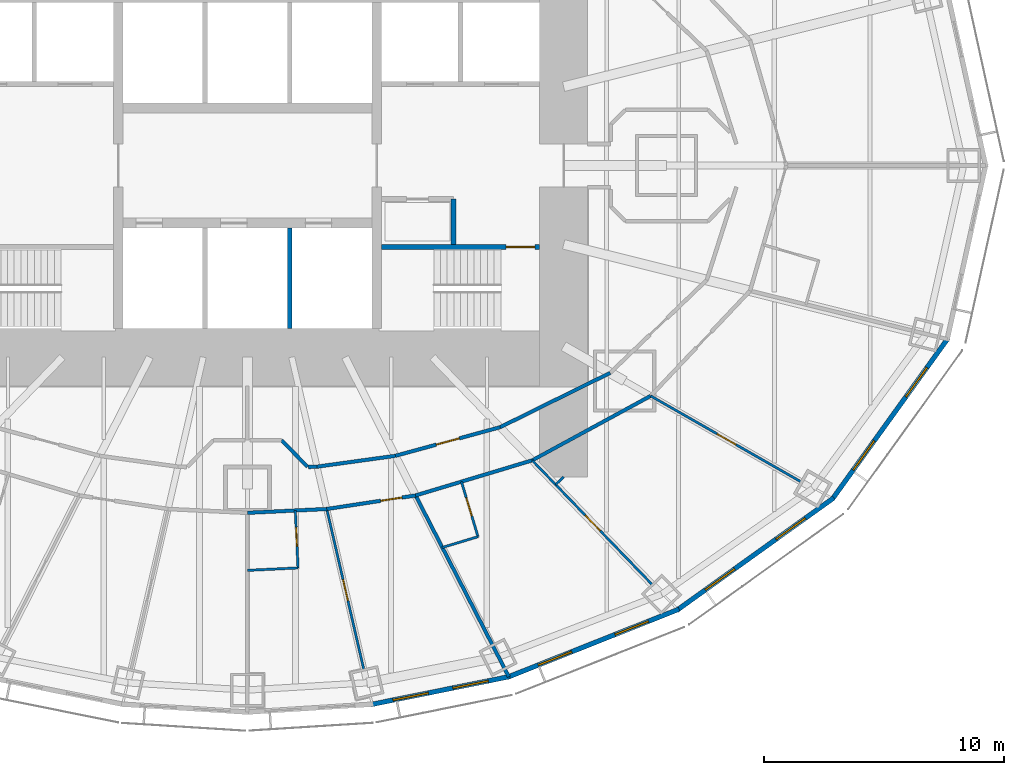
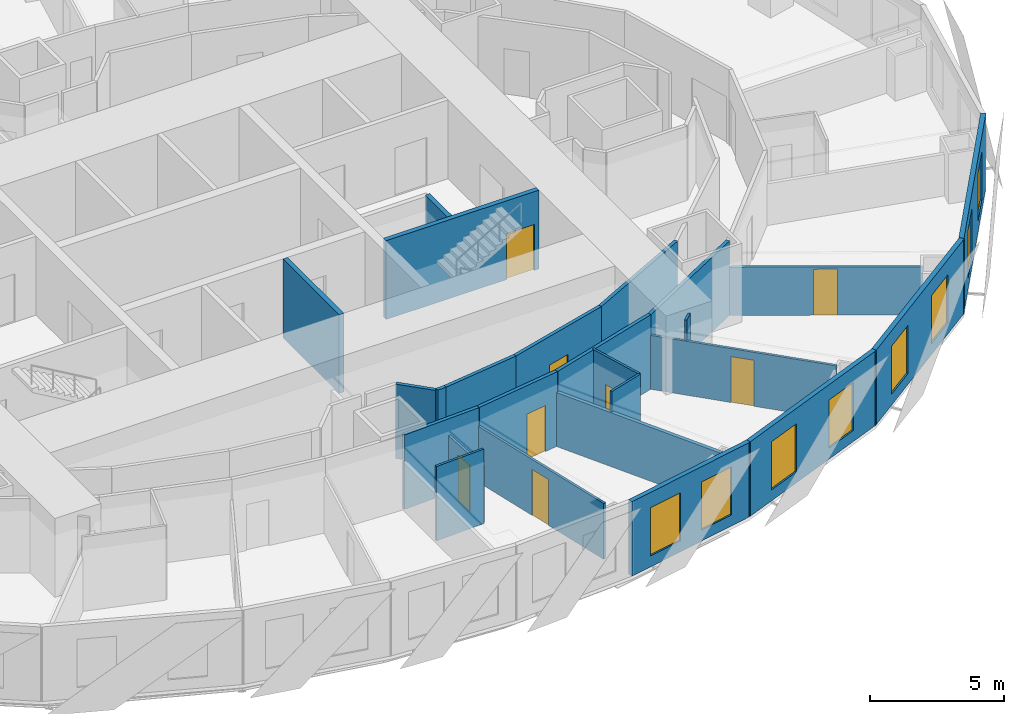
# One storey, part 7 of 15: 25 walls, 8 doors, 8 windows, 16 openings.
"""IFC4 building model written with IfcOpenShell, lengths in metres."""

from ifc_helpers import new_model, si_unit, direction, frame, frame_2d, origin, place, context, subcontext, project, spatial, rectangle, extrude, material, layer, layer_set, type_object, element, fill, save


model = new_model("IFC4")

# Units and contexts
model_context = context("Model", 3, precision=1e-05, world=origin(), true_north=direction((0.0, 1.0)))
body_context = subcontext(model_context, "Body", "Model", "MODEL_VIEW")
ifc_project = project(units=[si_unit("LENGTHUNIT", "METRE"), si_unit("AREAUNIT", "SQUARE_METRE"), si_unit("VOLUMEUNIT", "CUBIC_METRE"), si_unit("PLANEANGLEUNIT", "RADIAN"), si_unit("MASSUNIT", "GRAM", prefix="KILO")], contexts=[model_context])

# Site, building, storey
site_placement = place(None, origin())
site = spatial("IfcSite", under=ifc_project, at=site_placement, CompositionType="ELEMENT")
building_placement = place(site_placement, origin())
building = spatial("IfcBuilding", under=site, at=building_placement, Name="Lantaw Convention Tower", CompositionType="ELEMENT")
storey_placement = place(building_placement, frame((0.0, 0.0, 101.800048828125)))
storey = spatial("IfcBuildingStorey", under=building, at=storey_placement, Name="L24", CompositionType="ELEMENT", Elevation=101.800048828125)

# Wall, opening, door
ifc_material_1 = material(Name="Moisture resistant gypsum board on steel studs", Category="steel")
ifc_layer_1 = layer(ifc_material_1, 0.10009765625)
ifc_layer_set_1 = layer_set([ifc_layer_1], Name="Bathroom wall 100")
wall_type_1 = type_object("IfcWallType", Name="Bathroom wall 100", PredefinedType="PARTITIONING", material=ifc_layer_set_1)
wall_1_placement = place(storey_placement, frame((1.997802734375, -14.40478515625, 0.0), z_axis=(0.0, 0.0, 1.0), x_axis=(0.047608648396, -0.998866065395, 0.0)))
wall_1 = element("IfcWall", 1, at=wall_1_placement, inside=storey, type_object=wall_type_1, Name="Bathroom wall 100", PredefinedType="PARTITIONING", context=body_context, shape_type="SweptSolid", body=[
    extrude(rectangle(XDim=2.39990234375, YDim=0.10009765625, at=frame_2d((1.199951171875, 0.0))), origin(), (0.0, 0.0, 1.0), 2.627685546875),
])
opening_1_placement = place(wall_1_placement, frame((0.699951171875, 0.0, 0.0)))
opening_1 = element("IfcOpeningElement", 2, at=opening_1_placement, cuts=wall_1, Name="Opening L24.47", PredefinedType="OPENING", context=body_context, shape_type="SweptSolid", body=[
    extrude(rectangle(XDim=0.800048828125, YDim=2.10009765625, at=frame_2d((0.39990234375, 1.050048828125))), frame((0.0, 0.06005859375, 0.0), z_axis=(0.0, -1.0, 0.0), x_axis=(1.0, 0.0, 0.0)), (0.0, 0.0, 1.0), 0.1201171875),
])
ifc_material_2 = material(Name="Timber", Category="wood")
door_type_1 = type_object("IfcDoorType", Name="Bathroom door 800", OperationType="SINGLE_SWING_LEFT", PredefinedType="DOOR", material=ifc_material_2)
door_1_placement = place(opening_1_placement, origin())
door_1 = element("IfcDoor", 3, at=door_1_placement, inside=storey, type_object=door_type_1, Name="Bathroom door", OperationType="SINGLE_SWING_LEFT", OverallHeight=2.10009765625, OverallWidth=0.800048828125, PredefinedType="DOOR", context=body_context, shape_type="SweptSolid", body=[
    extrude(rectangle(XDim=0.800048828125, YDim=2.10009765625, at=frame_2d((0.39990234375, 1.050048828125))), frame((0.0, 0.02490234375, 0.0), z_axis=(0.0, -1.0, 0.0), x_axis=(1.0, 0.0, 0.0)), (0.0, 0.0, 1.0), 0.050048828125),
])
fill(opening_1, door_1)

# Wall
wall_2_placement = place(storey_placement, frame((2.112060546875, -16.802001953125, 0.0), z_axis=(0.0, 0.0, 1.0), x_axis=(-0.998862383453, -0.047685835668, 0.0)))
element("IfcWall", 4, at=wall_2_placement, inside=storey, type_object=wall_type_1, Name="Bathroom wall 100", PredefinedType="PARTITIONING", context=body_context, shape_type="SweptSolid", body=[
    extrude(rectangle(XDim=2.114501953125, YDim=0.10009765625, at=frame_2d((1.05712890625, 0.0))), origin(), (0.0, 0.0, 1.0), 3.39990234375),
])

# Wall, opening, door
wall_3_placement = place(storey_placement, frame((8.9345703125, -13.199951171875, 0.0), z_axis=(0.0, 0.0, 1.0), x_axis=(0.288197066254, -0.957571120598, 0.0)))
wall_3 = element("IfcWall", 5, at=wall_3_placement, inside=storey, type_object=wall_type_1, Name="Bathroom wall 100", PredefinedType="PARTITIONING", context=body_context, shape_type="SweptSolid", body=[
    extrude(rectangle(XDim=2.39990234375, YDim=0.10009765625, at=frame_2d((1.199951171875, 0.0))), origin(), (0.0, 0.0, 1.0), 3.39990234375),
])
opening_2_placement = place(wall_3_placement, frame((0.699951171875, 0.0, 0.0)))
opening_2 = element("IfcOpeningElement", 6, at=opening_2_placement, cuts=wall_3, Name="Opening L24.50", PredefinedType="OPENING", context=body_context, shape_type="SweptSolid", body=[
    extrude(rectangle(XDim=0.800048828125, YDim=2.10009765625, at=frame_2d((0.39990234375, 1.050048828125))), frame((0.0, 0.06005859375, 0.0), z_axis=(0.0, -1.0, 0.0), x_axis=(1.0, 0.0, 0.0)), (0.0, 0.0, 1.0), 0.1201171875),
])
door_2_placement = place(opening_2_placement, origin())
door_2 = element("IfcDoor", 7, at=door_2_placement, inside=storey, type_object=door_type_1, Name="Bathroom door", OperationType="SINGLE_SWING_LEFT", OverallHeight=2.10009765625, OverallWidth=0.800048828125, PredefinedType="DOOR", context=body_context, shape_type="SweptSolid", body=[
    extrude(rectangle(XDim=0.800048828125, YDim=2.10009765625, at=frame_2d((0.39990234375, 1.050048828125))), frame((0.0, 0.02490234375, 0.0), z_axis=(0.0, -1.0, 0.0), x_axis=(1.0, 0.0, 0.0)), (0.0, 0.0, 1.0), 0.050048828125),
])
fill(opening_2, door_2)

# Wall
wall_4_placement = place(storey_placement, frame((9.626220703125, -15.498046875, 0.0), z_axis=(0.0, 0.0, 1.0), x_axis=(-0.957551231109, -0.288263143328, 0.0)))
element("IfcWall", 8, at=wall_4_placement, inside=storey, type_object=wall_type_1, Name="Bathroom wall 100", PredefinedType="PARTITIONING", context=body_context, shape_type="SweptSolid", body=[
    extrude(rectangle(XDim=1.56591796875, YDim=0.10009765625, at=frame_2d((0.782958984375, 0.0))), origin(), (0.0, 0.0, 1.0), 3.39990234375),
])

# Wall, opening, door
ifc_material_3 = material(Name="Concrete C60/75", Category="concrete")
ifc_layer_2 = layer(ifc_material_3, 0.199951171875)
ifc_layer_set_2 = layer_set([ifc_layer_2], Name="Core wall 200")
wall_type_2 = type_object("IfcWallType", Name="Core wall 200", PredefinedType="SHEAR", material=ifc_layer_set_2)
wall_5_placement = place(storey_placement, frame((5.60009765625, -3.39990234375, 0.0), z_axis=(0.0, 0.0, 1.0), x_axis=(1.0, 0.0, 0.0)))
wall_5 = element("IfcWall", 9, at=wall_5_placement, inside=storey, type_object=wall_type_2, Name="Core wall ES", PredefinedType="SHEAR", context=body_context, shape_type="SweptSolid", body=[
    extrude(rectangle(XDim=6.599853515625, YDim=0.199951171875, at=frame_2d((3.2998046875, 0.0))), origin(), (0.0, 0.0, 1.0), 3.599853515625),
])
opening_3_placement = place(wall_5_placement, frame((5.199951171875, 0.0, 0.0)))
opening_3 = element("IfcOpeningElement", 10, at=opening_3_placement, cuts=wall_5, Name="Opening L24.04", PredefinedType="OPENING", context=body_context, shape_type="SweptSolid", body=[
    extrude(rectangle(XDim=1.199951171875, YDim=2.10009765625, at=frame_2d((0.60009765625, 1.050048828125))), frame((0.0, 0.10986328125, 0.0), z_axis=(0.0, -1.0, 0.0), x_axis=(1.0, 0.0, 0.0)), (0.0, 0.0, 1.0), 0.219970703125),
])
ifc_material_4 = material(Name="Steel, fire rated", Category="steel")
door_type_2 = type_object("IfcDoorType", Name="Stair door FD90", OperationType="SINGLE_SWING_RIGHT", PredefinedType="DOOR", material=ifc_material_4)
door_3_placement = place(opening_3_placement, origin())
door_3 = element("IfcDoor", 11, at=door_3_placement, inside=storey, type_object=door_type_2, Name="Exit stair door", OperationType="SINGLE_SWING_RIGHT", OverallHeight=2.10009765625, OverallWidth=1.199951171875, PredefinedType="DOOR", context=body_context, shape_type="SweptSolid", body=[
    extrude(rectangle(XDim=1.199951171875, YDim=2.10009765625, at=frame_2d((0.60009765625, 1.050048828125))), frame((0.0, 0.02490234375, 0.0), z_axis=(0.0, -1.0, 0.0), x_axis=(1.0, 0.0, 0.0)), (0.0, 0.0, 1.0), 0.050048828125),
])
fill(opening_3, door_3)

# Wall
ifc_material_5 = material(Name="Gypsum board on steel studs, fire rated", Category="steel")
ifc_layer_3 = layer(ifc_material_5, 0.14990234375)
ifc_layer_set_3 = layer_set([ifc_layer_3], Name="Corridor wall 150 EI 60")
wall_type_3 = type_object("IfcWallType", Name="Corridor wall 150 EI 60", PredefinedType="PARTITIONING", material=ifc_layer_set_3)
wall_6_placement = place(storey_placement, frame((0.0, -14.5, 0.0), z_axis=(0.0, 0.0, 1.0), x_axis=(0.998863968075, 0.047652631422, 0.0)))
element("IfcWall", 12, at=wall_6_placement, inside=storey, type_object=wall_type_3, Name="Corridor wall 150", PredefinedType="PARTITIONING", context=body_context, shape_type="SweptSolid", body=[
    extrude(rectangle(XDim=3.314697265625, YDim=0.14990234375, at=frame_2d((1.6572265625, 0.0))), origin(), (0.0, 0.0, 1.0), 3.39990234375),
])

# Wall, opening, door
wall_7_placement = place(storey_placement, frame((3.31103515625, -14.342041015625, 0.0), z_axis=(0.0, 0.0, 1.0), x_axis=(0.988564270062, 0.150800145746, 0.0)))
wall_7 = element("IfcWall", 13, at=wall_7_placement, inside=storey, type_object=wall_type_3, Name="Corridor wall 150", PredefinedType="PARTITIONING", context=body_context, shape_type="SweptSolid", body=[
    extrude(rectangle(XDim=3.751220703125, YDim=0.14990234375, at=frame_2d((1.87548828125, 0.0))), origin(), (0.0, 0.0, 1.0), 3.39990234375),
])
opening_4_placement = place(wall_7_placement, frame((2.27587890625, 0.0, 0.0)))
opening_4 = element("IfcOpeningElement", 14, at=opening_4_placement, cuts=wall_7, Name="Opening L24.49", PredefinedType="OPENING", context=body_context, shape_type="SweptSolid", body=[
    extrude(rectangle(XDim=0.89990234375, YDim=2.10009765625, at=frame_2d((0.449951171875, 1.050048828125))), frame((0.0, 0.0849609375, 0.0), z_axis=(0.0, -1.0, 0.0), x_axis=(1.0, 0.0, 0.0)), (0.0, 0.0, 1.0), 0.169921875),
])
door_type_3 = type_object("IfcDoorType", Name="Guest room entrance door FD30S", OperationType="SINGLE_SWING_LEFT", PredefinedType="DOOR", material=ifc_material_4)
door_4_placement = place(opening_4_placement, origin())
door_4 = element("IfcDoor", 15, at=door_4_placement, inside=storey, type_object=door_type_3, Name="Suite entrance door", OperationType="SINGLE_SWING_LEFT", OverallHeight=2.10009765625, OverallWidth=0.89990234375, PredefinedType="DOOR", context=body_context, shape_type="SweptSolid", body=[
    extrude(rectangle(XDim=0.89990234375, YDim=2.10009765625, at=frame_2d((0.449951171875, 1.050048828125))), frame((0.0, 0.02490234375, 0.0), z_axis=(0.0, -1.0, 0.0), x_axis=(1.0, 0.0, 0.0)), (0.0, 0.0, 1.0), 0.050048828125),
])
fill(opening_4, door_4)

# Walls
wall_8_placement = place(storey_placement, frame((7.019287109375, -13.7763671875, 0.0), z_axis=(0.0, 0.0, 1.0), x_axis=(0.957564241242, 0.288219922793, 0.0)))
element("IfcWall", 16, at=wall_8_placement, inside=storey, type_object=wall_type_3, Name="Corridor wall 150", PredefinedType="PARTITIONING", context=body_context, shape_type="SweptSolid", body=[
    extrude(rectangle(XDim=5.0849609375, YDim=0.14990234375, at=frame_2d((2.54248046875, 0.0))), origin(), (0.0, 0.0, 1.0), 3.39990234375),
])
wall_9_placement = place(storey_placement, frame((11.888427734375, -12.310791015625, 0.0), z_axis=(0.0, 0.0, 1.0), x_axis=(0.878450059298, 0.477834169267, 0.0)))
element("IfcWall", 17, at=wall_9_placement, inside=storey, type_object=wall_type_3, Name="Corridor wall 150", PredefinedType="PARTITIONING", context=body_context, shape_type="SweptSolid", body=[
    extrude(rectangle(XDim=5.630859375, YDim=0.14990234375, at=frame_2d((2.8154296875, 0.0))), origin(), (0.0, 0.0, 1.0), 3.39990234375),
])
wall_10_placement = place(storey_placement, frame((2.903076171875, -12.574462890625, 0.0), z_axis=(0.0, 0.0, 1.0), x_axis=(0.990563451353, 0.137054911782, 0.0)))
element("IfcWall", 18, at=wall_10_placement, inside=storey, type_object=wall_type_3, Name="Corridor wall 150", PredefinedType="PARTITIONING", context=body_context, shape_type="SweptSolid", body=[
    extrude(rectangle(XDim=3.304443359375, YDim=0.14990234375, at=frame_2d((1.65234375, 0.0))), origin(), (0.0, 0.0, 1.0), 3.39990234375),
])

# Wall, opening, door
wall_11_placement = place(storey_placement, frame((6.17626953125, -12.12158203125, 0.0), z_axis=(0.0, 0.0, 1.0), x_axis=(0.964644466646, 0.263554648923, 0.0)))
wall_11 = element("IfcWall", 19, at=wall_11_placement, inside=storey, type_object=wall_type_3, Name="Corridor wall 150", PredefinedType="PARTITIONING", context=body_context, shape_type="SweptSolid", body=[
    extrude(rectangle(XDim=4.535400390625, YDim=0.14990234375, at=frame_2d((2.267578125, 0.0))), origin(), (0.0, 0.0, 1.0), 3.39990234375),
])
opening_5_placement = place(wall_11_placement, frame((1.767578125, 0.0, 0.0)))
opening_5 = element("IfcOpeningElement", 20, at=opening_5_placement, cuts=wall_11, Name="Opening L24.23", PredefinedType="OPENING", context=body_context, shape_type="SweptSolid", body=[
    extrude(rectangle(XDim=1.0, YDim=2.10009765625, at=frame_2d((0.5, 1.050048828125))), frame((0.0, 0.0849609375, 0.0), z_axis=(0.0, -1.0, 0.0), x_axis=(1.0, 0.0, 0.0)), (0.0, 0.0, 1.0), 0.169921875),
])
door_type_4 = type_object("IfcDoorType", Name="Service door 1000 FD30", OperationType="SINGLE_SWING_LEFT", PredefinedType="DOOR", material=ifc_material_4)
door_5_placement = place(opening_5_placement, origin())
door_5 = element("IfcDoor", 21, at=door_5_placement, inside=storey, type_object=door_type_4, Name="Room service pantry door", OperationType="SINGLE_SWING_LEFT", OverallHeight=2.10009765625, OverallWidth=1.0, PredefinedType="DOOR", context=body_context, shape_type="SweptSolid", body=[
    extrude(rectangle(XDim=1.0, YDim=2.10009765625, at=frame_2d((0.5, 1.050048828125))), frame((0.0, 0.02490234375, 0.0), z_axis=(0.0, -1.0, 0.0), x_axis=(1.0, 0.0, 0.0)), (0.0, 0.0, 1.0), 0.050048828125),
])
fill(opening_5, door_5)

# Walls
wall_12_placement = place(storey_placement, frame((10.55126953125, -10.92626953125, 0.0), z_axis=(0.0, 0.0, 1.0), x_axis=(0.89656943448, 0.442903205177, 0.0)))
element("IfcWall", 22, at=wall_12_placement, inside=storey, type_object=wall_type_3, Name="Corridor wall 150", PredefinedType="PARTITIONING", context=body_context, shape_type="SweptSolid", body=[
    extrude(rectangle(XDim=5.12646484375, YDim=0.14990234375, at=frame_2d((2.563232421875, 0.0))), origin(), (0.0, 0.0, 1.0), 3.39990234375),
])
wall_13_placement = place(storey_placement, frame((2.537109375, -12.59033203125, 0.0), z_axis=(0.0, 0.0, 1.0), x_axis=(0.999061181733, 0.04332153223, 0.0)))
element("IfcWall", 23, at=wall_13_placement, inside=storey, type_object=wall_type_3, Name="Corridor wall 150", PredefinedType="PARTITIONING", context=body_context, shape_type="SweptSolid", body=[
    extrude(rectangle(XDim=0.3662109375, YDim=0.14990234375, at=frame_2d((0.18310546875, 0.0))), origin(), (0.0, 0.0, 1.0), 3.39990234375),
])
wall_14_placement = place(storey_placement, frame((1.424560546875, -11.47509765625, 0.0), z_axis=(0.0, 0.0, 1.0), x_axis=(0.701622806479, -0.712548550927, 0.0)))
element("IfcWall", 24, at=wall_14_placement, inside=storey, type_object=wall_type_3, Name="Corridor wall 150", PredefinedType="PARTITIONING", context=body_context, shape_type="SweptSolid", body=[
    extrude(rectangle(XDim=1.541748046875, YDim=0.14990234375, at=frame_2d((0.77099609375, 0.0))), origin(), (0.0, 0.0, 1.0), 3.39990234375),
])

# Wall, openings, windows
ifc_material_6 = material(Name="Insulated aluminium panel on steel frame", Category="steel")
ifc_layer_4 = layer(ifc_material_6, 0.199951171875)
ifc_layer_set_4 = layer_set([ifc_layer_4], Name="External wall 200")
wall_type_4 = type_object("IfcWallType", Name="External wall 200", PredefinedType="SOLIDWALL", material=ifc_layer_set_4)
wall_15_placement = place(storey_placement, frame((5.169677734375, -22.504150390625, 0.0), z_axis=(0.0, 0.0, 1.0), x_axis=(0.980251657452, 0.197754110105, 0.0)))
wall_15 = element("IfcWall", 25, at=wall_15_placement, inside=storey, type_object=wall_type_4, Name="Facade panel wall", PredefinedType="SOLIDWALL", context=body_context, shape_type="SweptSolid", body=[
    extrude(rectangle(XDim=5.90380859375, YDim=0.199951171875, at=frame_2d((2.951904296875, 0.0))), origin(), (0.0, 0.0, 1.0), 3.39990234375),
])
opening_6_placement = place(wall_15_placement, frame((0.92578125, 0.0, 0.5)))
opening_6 = element("IfcOpeningElement", 26, at=opening_6_placement, cuts=wall_15, Name="Opening W2", PredefinedType="OPENING", context=body_context, shape_type="SweptSolid", body=[
    extrude(rectangle(XDim=1.5, YDim=2.199951171875, at=frame_2d((0.75, 1.10009765625))), frame((0.0, 0.10986328125, 0.0), z_axis=(0.0, -1.0, 0.0), x_axis=(1.0, 0.0, 0.0)), (0.0, 0.0, 1.0), 0.219970703125),
])
opening_7_placement = place(wall_15_placement, frame((3.477783203125, 0.0, 0.5)))
opening_7 = element("IfcOpeningElement", 27, at=opening_7_placement, cuts=wall_15, Name="Opening W2", PredefinedType="OPENING", context=body_context, shape_type="SweptSolid", body=[
    extrude(rectangle(XDim=1.5, YDim=2.199951171875, at=frame_2d((0.75, 1.10009765625))), frame((0.0, 0.10986328125, 0.0), z_axis=(0.0, -1.0, 0.0), x_axis=(1.0, 0.0, 0.0)), (0.0, 0.0, 1.0), 0.219970703125),
])
ifc_material_7 = material(Name="Aluminium frame, clear insulating glass", Category="aluminium")
window_type = type_object("IfcWindowType", Name="Suite window 1500x2200", PartitioningType="SINGLE_PANEL", PredefinedType="WINDOW", material=ifc_material_7)
window_1_placement = place(opening_6_placement, origin())
window_1 = element("IfcWindow", 28, at=window_1_placement, inside=storey, type_object=window_type, Name="Guest room window", OverallHeight=2.199951171875, OverallWidth=1.5, PartitioningType="SINGLE_PANEL", PredefinedType="WINDOW", context=body_context, shape_type="SweptSolid", body=[
    extrude(rectangle(XDim=1.5, YDim=2.199951171875, at=frame_2d((0.75, 1.10009765625))), frame((0.0, 0.030029296875, 0.0), z_axis=(0.0, -1.0, 0.0), x_axis=(1.0, 0.0, 0.0)), (0.0, 0.0, 1.0), 0.06005859375),
])
fill(opening_6, window_1)
window_2_placement = place(opening_7_placement, origin())
window_2 = element("IfcWindow", 29, at=window_2_placement, inside=storey, type_object=window_type, Name="Guest room window", OverallHeight=2.199951171875, OverallWidth=1.5, PartitioningType="SINGLE_PANEL", PredefinedType="WINDOW", context=body_context, shape_type="SweptSolid", body=[
    extrude(rectangle(XDim=1.5, YDim=2.199951171875, at=frame_2d((0.75, 1.10009765625))), frame((0.0, 0.030029296875, 0.0), z_axis=(0.0, -1.0, 0.0), x_axis=(1.0, 0.0, 0.0)), (0.0, 0.0, 1.0), 0.06005859375),
])
fill(opening_7, window_2)

wall_16_placement = place(storey_placement, frame((10.869384765625, -21.362548828125, 0.0), z_axis=(0.0, 0.0, 1.0), x_axis=(0.929358351251, 0.369178892895, 0.0)))
wall_16 = element("IfcWall", 30, at=wall_16_placement, inside=storey, type_object=wall_type_4, Name="Facade panel wall", PredefinedType="SOLIDWALL", context=body_context, shape_type="SweptSolid", body=[
    extrude(rectangle(XDim=7.6923828125, YDim=0.199951171875, at=frame_2d((3.84619140625, 0.0))), origin(), (0.0, 0.0, 1.0), 3.39990234375),
])
opening_8_placement = place(wall_16_placement, frame((1.373046875, 0.0, 0.5)))
opening_8 = element("IfcOpeningElement", 31, at=opening_8_placement, cuts=wall_16, Name="Opening W2", PredefinedType="OPENING", context=body_context, shape_type="SweptSolid", body=[
    extrude(rectangle(XDim=1.5, YDim=2.199951171875, at=frame_2d((0.75, 1.10009765625))), frame((0.0, 0.10986328125, 0.0), z_axis=(0.0, -1.0, 0.0), x_axis=(1.0, 0.0, 0.0)), (0.0, 0.0, 1.0), 0.219970703125),
])
opening_9_placement = place(wall_16_placement, frame((4.819091796875, 0.0, 0.5)))
opening_9 = element("IfcOpeningElement", 32, at=opening_9_placement, cuts=wall_16, Name="Opening W2", PredefinedType="OPENING", context=body_context, shape_type="SweptSolid", body=[
    extrude(rectangle(XDim=1.5, YDim=2.199951171875, at=frame_2d((0.75, 1.10009765625))), frame((0.0, 0.10986328125, 0.0), z_axis=(0.0, -1.0, 0.0), x_axis=(1.0, 0.0, 0.0)), (0.0, 0.0, 1.0), 0.219970703125),
])
window_3_placement = place(opening_8_placement, origin())
window_3 = element("IfcWindow", 33, at=window_3_placement, inside=storey, type_object=window_type, Name="Guest room window", OverallHeight=2.199951171875, OverallWidth=1.5, PartitioningType="SINGLE_PANEL", PredefinedType="WINDOW", context=body_context, shape_type="SweptSolid", body=[
    extrude(rectangle(XDim=1.5, YDim=2.199951171875, at=frame_2d((0.75, 1.10009765625))), frame((0.0, 0.030029296875, 0.0), z_axis=(0.0, -1.0, 0.0), x_axis=(1.0, 0.0, 0.0)), (0.0, 0.0, 1.0), 0.06005859375),
])
fill(opening_8, window_3)
window_4_placement = place(opening_9_placement, origin())
window_4 = element("IfcWindow", 34, at=window_4_placement, inside=storey, type_object=window_type, Name="Guest room window", OverallHeight=2.199951171875, OverallWidth=1.5, PartitioningType="SINGLE_PANEL", PredefinedType="WINDOW", context=body_context, shape_type="SweptSolid", body=[
    extrude(rectangle(XDim=1.5, YDim=2.199951171875, at=frame_2d((0.75, 1.10009765625))), frame((0.0, 0.030029296875, 0.0), z_axis=(0.0, -1.0, 0.0), x_axis=(1.0, 0.0, 0.0)), (0.0, 0.0, 1.0), 0.06005859375),
])
fill(opening_9, window_4)

wall_17_placement = place(storey_placement, frame((17.9287109375, -18.57177734375, 0.0), z_axis=(0.0, 0.0, 1.0), x_axis=(0.812791321576, 0.582554948112, 0.0)))
wall_17 = element("IfcWall", 35, at=wall_17_placement, inside=storey, type_object=wall_type_4, Name="Facade panel wall", PredefinedType="SOLIDWALL", context=body_context, shape_type="SweptSolid", body=[
    extrude(rectangle(XDim=8.063232421875, YDim=0.199951171875, at=frame_2d((4.03173828125, 0.0))), origin(), (0.0, 0.0, 1.0), 3.39990234375),
])
opening_10_placement = place(wall_17_placement, frame((1.4658203125, 0.0, 0.5)))
opening_10 = element("IfcOpeningElement", 36, at=opening_10_placement, cuts=wall_17, Name="Opening W2", PredefinedType="OPENING", context=body_context, shape_type="SweptSolid", body=[
    extrude(rectangle(XDim=1.5, YDim=2.199951171875, at=frame_2d((0.75, 1.10009765625))), frame((0.0, 0.10986328125, 0.0), z_axis=(0.0, -1.0, 0.0), x_axis=(1.0, 0.0, 0.0)), (0.0, 0.0, 1.0), 0.219970703125),
])
opening_11_placement = place(wall_17_placement, frame((5.097412109375, 0.0, 0.5)))
opening_11 = element("IfcOpeningElement", 37, at=opening_11_placement, cuts=wall_17, Name="Opening W2", PredefinedType="OPENING", context=body_context, shape_type="SweptSolid", body=[
    extrude(rectangle(XDim=1.5, YDim=2.199951171875, at=frame_2d((0.75, 1.10009765625))), frame((0.0, 0.10986328125, 0.0), z_axis=(0.0, -1.0, 0.0), x_axis=(1.0, 0.0, 0.0)), (0.0, 0.0, 1.0), 0.219970703125),
])
window_5_placement = place(opening_10_placement, origin())
window_5 = element("IfcWindow", 38, at=window_5_placement, inside=storey, type_object=window_type, Name="Guest room window", OverallHeight=2.199951171875, OverallWidth=1.5, PartitioningType="SINGLE_PANEL", PredefinedType="WINDOW", context=body_context, shape_type="SweptSolid", body=[
    extrude(rectangle(XDim=1.5, YDim=2.199951171875, at=frame_2d((0.75, 1.10009765625))), frame((0.0, 0.030029296875, 0.0), z_axis=(0.0, -1.0, 0.0), x_axis=(1.0, 0.0, 0.0)), (0.0, 0.0, 1.0), 0.06005859375),
])
fill(opening_10, window_5)
window_6_placement = place(opening_11_placement, origin())
window_6 = element("IfcWindow", 39, at=window_6_placement, inside=storey, type_object=window_type, Name="Guest room window", OverallHeight=2.199951171875, OverallWidth=1.5, PartitioningType="SINGLE_PANEL", PredefinedType="WINDOW", context=body_context, shape_type="SweptSolid", body=[
    extrude(rectangle(XDim=1.5, YDim=2.199951171875, at=frame_2d((0.75, 1.10009765625))), frame((0.0, 0.030029296875, 0.0), z_axis=(0.0, -1.0, 0.0), x_axis=(1.0, 0.0, 0.0)), (0.0, 0.0, 1.0), 0.06005859375),
])
fill(opening_11, window_6)

wall_18_placement = place(storey_placement, frame((24.400390625, -13.95654296875, 0.0), z_axis=(0.0, 0.0, 1.0), x_axis=(0.583937613703, 0.811798536155, 0.0)))
wall_18 = element("IfcWall", 40, at=wall_18_placement, inside=storey, type_object=wall_type_4, Name="Facade panel wall", PredefinedType="SOLIDWALL", context=body_context, shape_type="SweptSolid", body=[
    extrude(rectangle(XDim=8.322998046875, YDim=0.199951171875, at=frame_2d((4.16162109375, 0.0))), origin(), (0.0, 0.0, 1.0), 3.39990234375),
])
opening_12_placement = place(wall_18_placement, frame((1.53076171875, 0.0, 0.5)))
opening_12 = element("IfcOpeningElement", 41, at=opening_12_placement, cuts=wall_18, Name="Opening W2", PredefinedType="OPENING", context=body_context, shape_type="SweptSolid", body=[
    extrude(rectangle(XDim=1.5, YDim=2.199951171875, at=frame_2d((0.75, 1.10009765625))), frame((0.0, 0.10986328125, 0.0), z_axis=(0.0, -1.0, 0.0), x_axis=(1.0, 0.0, 0.0)), (0.0, 0.0, 1.0), 0.219970703125),
])
opening_13_placement = place(wall_18_placement, frame((5.292236328125, 0.0, 0.5)))
opening_13 = element("IfcOpeningElement", 42, at=opening_13_placement, cuts=wall_18, Name="Opening W2", PredefinedType="OPENING", context=body_context, shape_type="SweptSolid", body=[
    extrude(rectangle(XDim=1.5, YDim=2.199951171875, at=frame_2d((0.75, 1.10009765625))), frame((0.0, 0.10986328125, 0.0), z_axis=(0.0, -1.0, 0.0), x_axis=(1.0, 0.0, 0.0)), (0.0, 0.0, 1.0), 0.219970703125),
])
window_7_placement = place(opening_12_placement, origin())
window_7 = element("IfcWindow", 43, at=window_7_placement, inside=storey, type_object=window_type, Name="Guest room window", OverallHeight=2.199951171875, OverallWidth=1.5, PartitioningType="SINGLE_PANEL", PredefinedType="WINDOW", context=body_context, shape_type="SweptSolid", body=[
    extrude(rectangle(XDim=1.5, YDim=2.199951171875, at=frame_2d((0.75, 1.10009765625))), frame((0.0, 0.030029296875, 0.0), z_axis=(0.0, -1.0, 0.0), x_axis=(1.0, 0.0, 0.0)), (0.0, 0.0, 1.0), 0.06005859375),
])
fill(opening_12, window_7)
window_8_placement = place(opening_13_placement, origin())
window_8 = element("IfcWindow", 44, at=window_8_placement, inside=storey, type_object=window_type, Name="Guest room window", OverallHeight=2.199951171875, OverallWidth=1.5, PartitioningType="SINGLE_PANEL", PredefinedType="WINDOW", context=body_context, shape_type="SweptSolid", body=[
    extrude(rectangle(XDim=1.5, YDim=2.199951171875, at=frame_2d((0.75, 1.10009765625))), frame((0.0, 0.030029296875, 0.0), z_axis=(0.0, -1.0, 0.0), x_axis=(1.0, 0.0, 0.0)), (0.0, 0.0, 1.0), 0.06005859375),
])
fill(opening_13, window_8)

# Walls
ifc_material_8 = material(Name="Gypsum board on steel studs, acoustic", Category="steel")
ifc_layer_5 = layer(ifc_material_8, 0.14990234375)
ifc_layer_set_5 = layer_set([ifc_layer_5], Name="Guest room party wall 150")
wall_type_5 = type_object("IfcWallType", Name="Guest room party wall 150", PredefinedType="PARTITIONING", material=ifc_layer_set_5)
wall_19_placement = place(storey_placement, frame((10.911865234375, -21.345703125, 0.0), z_axis=(0.0, 0.0, 1.0), x_axis=(-0.457327273085, 0.889298468059, 0.0)))
element("IfcWall", 45, at=wall_19_placement, inside=storey, type_object=wall_type_5, Name="Guest room party wall 150", PredefinedType="PARTITIONING", context=body_context, shape_type="SweptSolid", body=[
    extrude(rectangle(XDim=8.511474609375, YDim=0.14990234375, at=frame_2d((4.255859375, 0.0))), origin(), (0.0, 0.0, 1.0), 2.462646484375),
])
ifc_layer_6 = layer(ifc_material_8, 0.10009765625)
ifc_layer_set_6 = layer_set([ifc_layer_6], Name="Office partition 100")
wall_type_6 = type_object("IfcWallType", Name="Office partition 100", PredefinedType="PARTITIONING", material=ifc_layer_set_6)
wall_20_placement = place(storey_placement, frame((13.199951171875, -13.0, 0.0), z_axis=(0.0, 0.0, 1.0), x_axis=(-0.719347134512, -0.69465077562, 0.0)))
element("IfcWall", 46, at=wall_20_placement, inside=storey, type_object=wall_type_6, Name="Office partition 100", PredefinedType="PARTITIONING", context=body_context, shape_type="SweptSolid", body=[
    extrude(rectangle(XDim=0.464599609375, YDim=0.10009765625, at=frame_2d((0.232421875, 0.0))), origin(), (0.0, 0.0, 1.0), 3.39990234375),
])
ifc_material_9 = material(Name="Concrete blockwork, fire rated", Category="masonry")
ifc_layer_7 = layer(ifc_material_9, 0.199951171875)
ifc_layer_set_7 = layer_set([ifc_layer_7], Name="Plant room wall 200 EI 120")
wall_type_7 = type_object("IfcWallType", Name="Plant room wall 200 EI 120", PredefinedType="SOLIDWALL", material=ifc_layer_set_7)
wall_21_placement = place(storey_placement, frame((8.60009765625, -1.39990234375, 0.0), z_axis=(0.0, 0.0, 1.0), x_axis=(0.0, -1.0, 0.0)))
element("IfcWall", 47, at=wall_21_placement, inside=storey, type_object=wall_type_7, Name="Plant room wall 200", PredefinedType="SOLIDWALL", context=body_context, shape_type="SweptSolid", body=[
    extrude(rectangle(XDim=1.900146484375, YDim=0.199951171875, at=frame_2d((0.9501953125, 0.0))), origin(), (0.0, 0.0, 1.0), 3.39990234375),
])
ifc_layer_8 = layer(ifc_material_9, 0.199951171875)
ifc_layer_set_8 = layer_set([ifc_layer_8], Name="Shaft wall 200 load-bearing")
wall_type_8 = type_object("IfcWallType", Name="Shaft wall 200 load-bearing", PredefinedType="SOLIDWALL", material=ifc_layer_set_8)
wall_22_placement = place(storey_placement, frame((1.7666015625, -2.60009765625, 0.0), z_axis=(0.0, 0.0, 1.0), x_axis=(0.0, -1.0, 0.0)))
element("IfcWall", 48, at=wall_22_placement, inside=storey, type_object=wall_type_8, Name="Shaft wall DS2", PredefinedType="SOLIDWALL", context=body_context, shape_type="SweptSolid", body=[
    extrude(rectangle(XDim=4.199951171875, YDim=0.199951171875, at=frame_2d((2.10009765625, 0.0))), origin(), (0.0, 0.0, 1.0), 3.599853515625),
])

# Wall, opening, door
ifc_material_10 = material(Name="Gypsum board on steel studs", Category="steel")
ifc_layer_9 = layer(ifc_material_10, 0.10009765625)
ifc_layer_set_9 = layer_set([ifc_layer_9], Name="Suite partition 100")
wall_type_9 = type_object("IfcWallType", Name="Suite partition 100", PredefinedType="PARTITIONING", material=ifc_layer_set_9)
wall_23_placement = place(storey_placement, frame((4.873779296875, -21.11083984375, 0.0), z_axis=(0.0, 0.0, 1.0), x_axis=(-0.224957040173, 0.974368682828, 0.0)))
wall_23 = element("IfcWall", 49, at=wall_23_placement, inside=storey, type_object=wall_type_9, Name="Suite partition 100", PredefinedType="PARTITIONING", context=body_context, shape_type="SweptSolid", body=[
    extrude(rectangle(XDim=6.94677734375, YDim=0.10009765625, at=frame_2d((3.473388671875, 0.0))), origin(), (0.0, 0.0, 1.0), 2.55419921875),
])
opening_14_placement = place(wall_23_placement, frame((3.0234375, 0.0, 0.0)))
opening_14 = element("IfcOpeningElement", 50, at=opening_14_placement, cuts=wall_23, Name="Opening L24.48", PredefinedType="OPENING", context=body_context, shape_type="SweptSolid", body=[
    extrude(rectangle(XDim=0.89990234375, YDim=2.10009765625, at=frame_2d((0.449951171875, 1.050048828125))), frame((0.0, 0.06005859375, 0.0), z_axis=(0.0, -1.0, 0.0), x_axis=(1.0, 0.0, 0.0)), (0.0, 0.0, 1.0), 0.1201171875),
])
door_type_5 = type_object("IfcDoorType", Name="Suite door 900", OperationType="SINGLE_SWING_LEFT", PredefinedType="DOOR", material=ifc_material_2)
door_6_placement = place(opening_14_placement, origin())
door_6 = element("IfcDoor", 51, at=door_6_placement, inside=storey, type_object=door_type_5, Name="Bedroom door", OperationType="SINGLE_SWING_LEFT", OverallHeight=2.10009765625, OverallWidth=0.89990234375, PredefinedType="DOOR", context=body_context, shape_type="SweptSolid", body=[
    extrude(rectangle(XDim=0.89990234375, YDim=2.10009765625, at=frame_2d((0.449951171875, 1.050048828125))), frame((0.0, 0.02490234375, 0.0), z_axis=(0.0, -1.0, 0.0), x_axis=(1.0, 0.0, 0.0)), (0.0, 0.0, 1.0), 0.050048828125),
])
fill(opening_14, door_6)

wall_24_placement = place(storey_placement, frame((16.943603515625, -17.54541015625, 0.0), z_axis=(0.0, 0.0, 1.0), x_axis=(-0.694669949151, 0.719328618746, 0.0)))
wall_24 = element("IfcWall", 52, at=wall_24_placement, inside=storey, type_object=wall_type_9, Name="Suite partition 100", PredefinedType="PARTITIONING", context=body_context, shape_type="SweptSolid", body=[
    extrude(rectangle(XDim=7.277099609375, YDim=0.10009765625, at=frame_2d((3.638671875, 0.0))), origin(), (0.0, 0.0, 1.0), 2.462646484375),
])
opening_15_placement = place(wall_24_placement, frame((3.188720703125, 0.0, 0.0)))
opening_15 = element("IfcOpeningElement", 53, at=opening_15_placement, cuts=wall_24, Name="Opening L24.51", PredefinedType="OPENING", context=body_context, shape_type="SweptSolid", body=[
    extrude(rectangle(XDim=0.89990234375, YDim=2.10009765625, at=frame_2d((0.449951171875, 1.050048828125))), frame((0.0, 0.06005859375, 0.0), z_axis=(0.0, -1.0, 0.0), x_axis=(1.0, 0.0, 0.0)), (0.0, 0.0, 1.0), 0.1201171875),
])
door_7_placement = place(opening_15_placement, origin())
door_7 = element("IfcDoor", 54, at=door_7_placement, inside=storey, type_object=door_type_5, Name="Bedroom door", OperationType="SINGLE_SWING_LEFT", OverallHeight=2.10009765625, OverallWidth=0.89990234375, PredefinedType="DOOR", context=body_context, shape_type="SweptSolid", body=[
    extrude(rectangle(XDim=0.89990234375, YDim=2.10009765625, at=frame_2d((0.449951171875, 1.050048828125))), frame((0.0, 0.02490234375, 0.0), z_axis=(0.0, -1.0, 0.0), x_axis=(1.0, 0.0, 0.0)), (0.0, 0.0, 1.0), 0.050048828125),
])
fill(opening_15, door_7)

wall_25_placement = place(storey_placement, frame((23.1708984375, -13.240478515625, 0.0), z_axis=(0.0, 0.0, 1.0), x_axis=(-0.868253436131, 0.496120923412, 0.0)))
wall_25 = element("IfcWall", 55, at=wall_25_placement, inside=storey, type_object=wall_type_9, Name="Suite partition 100", PredefinedType="PARTITIONING", context=body_context, shape_type="SweptSolid", body=[
    extrude(rectangle(XDim=7.29736328125, YDim=0.10009765625, at=frame_2d((3.648681640625, 0.0))), origin(), (0.0, 0.0, 1.0), 2.199951171875),
])
opening_16_placement = place(wall_25_placement, frame((3.198486328125, 0.0, 0.0)))
opening_16 = element("IfcOpeningElement", 56, at=opening_16_placement, cuts=wall_25, Name="Opening L24.52", PredefinedType="OPENING", context=body_context, shape_type="SweptSolid", body=[
    extrude(rectangle(XDim=0.89990234375, YDim=2.10009765625, at=frame_2d((0.449951171875, 1.050048828125))), frame((0.0, 0.06005859375, 0.0), z_axis=(0.0, -1.0, 0.0), x_axis=(1.0, 0.0, 0.0)), (0.0, 0.0, 1.0), 0.1201171875),
])
door_8_placement = place(opening_16_placement, origin())
door_8 = element("IfcDoor", 57, at=door_8_placement, inside=storey, type_object=door_type_5, Name="Kitchenette door", OperationType="SINGLE_SWING_LEFT", OverallHeight=2.10009765625, OverallWidth=0.89990234375, PredefinedType="DOOR", context=body_context, shape_type="SweptSolid", body=[
    extrude(rectangle(XDim=0.89990234375, YDim=2.10009765625, at=frame_2d((0.449951171875, 1.050048828125))), frame((0.0, 0.02490234375, 0.0), z_axis=(0.0, -1.0, 0.0), x_axis=(1.0, 0.0, 0.0)), (0.0, 0.0, 1.0), 0.050048828125),
])
fill(opening_16, door_8)

save(model, "model.ifc")
